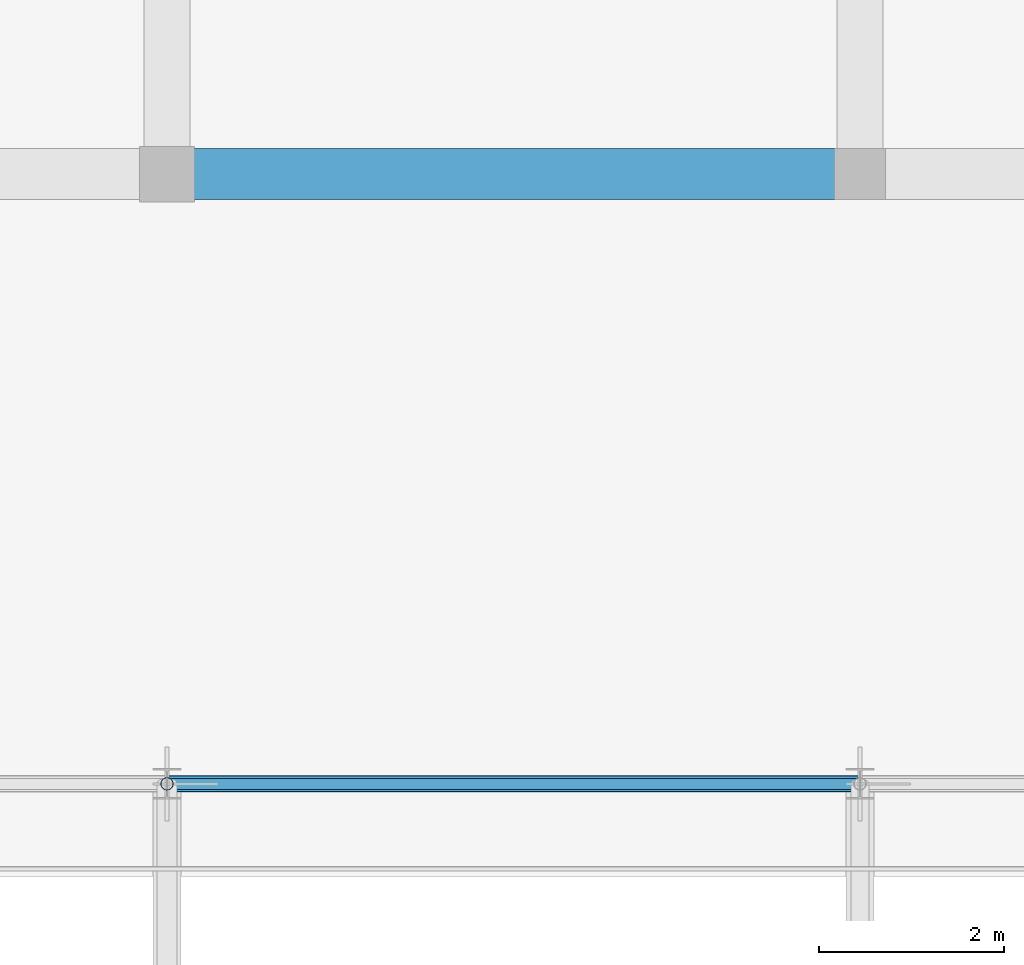
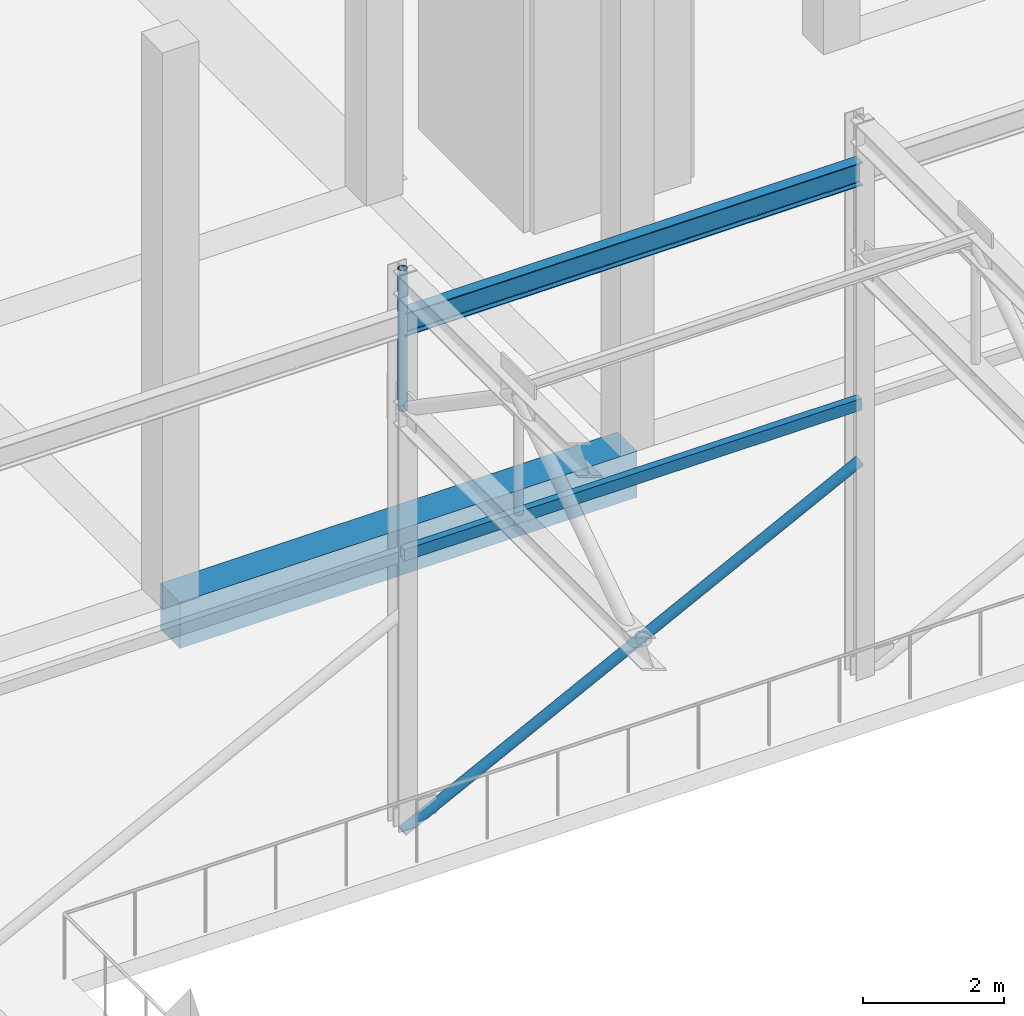
# One storey, part 33 of 80: 3 members, 2 beams.
"""IFC4 building model written with IfcOpenShell, lengths in metres."""

from ifc_helpers import new_model, si_unit, direction, frame, origin, origin_2d, place, context, subcontext, project, spatial, rectangle, hollow_rectangle, hollow_circle, i_section, extrude, material, material_profile, profile_set, type_object, element, save


model = new_model("IFC4")

# Units and contexts
model_context = context("Model", 3, precision=1e-05, world=origin(), true_north=direction((0.0, 1.0)))
body_context = subcontext(model_context, "Body", "Model", "MODEL_VIEW")
ifc_project = project(units=[si_unit("LENGTHUNIT", "METRE"), si_unit("AREAUNIT", "SQUARE_METRE"), si_unit("VOLUMEUNIT", "CUBIC_METRE"), si_unit("PLANEANGLEUNIT", "RADIAN"), si_unit("MASSUNIT", "GRAM", prefix="KILO")], contexts=[model_context])

# Site, building, storey
site_placement = place(None, origin())
site = spatial("IfcSite", under=ifc_project, at=site_placement, CompositionType="ELEMENT")
building_placement = place(site_placement, origin())
building = spatial("IfcBuilding", under=site, at=building_placement, Name="Akrevak Sports Hall", CompositionType="ELEMENT")
storey_placement = place(building_placement, frame((0.0, 0.0, 14.0)))
storey = spatial("IfcBuildingStorey", under=building, at=storey_placement, Name="L03", CompositionType="ELEMENT", Elevation=14.0)

# Beams
ifc_material_1 = material(Name="Concrete C40/50", Category="concrete")
ifc_material_profile_1 = material_profile(ifc_material_1, rectangle(XDim=0.550048828125, YDim=0.800048828125, at=origin_2d()), Name="BM 550x800", Category="concrete")
ifc_profile_set_1 = profile_set([ifc_material_profile_1], Name="Concrete C40/50")
beam_type_1 = type_object("IfcBeamType", Name="STR-BM-RC550x800", PredefinedType="BEAM", material=ifc_profile_set_1)
beam_1_placement = place(storey_placement, frame((123.0, 55.199951171875, -0.39990234375), z_axis=(1.0, 0.0, 0.0), x_axis=(0.0, 1.0, 0.0)))
element("IfcBeam", 1, at=beam_1_placement, inside=storey, type_object=beam_type_1, Name="Girder I/17-18 (L03)", PredefinedType="BEAM", context=body_context, shape_type="SweptSolid", body=[
    extrude(rectangle(XDim=0.550048828125, YDim=0.800048828125, at=origin_2d()), origin(), (0.0, 0.0, 1.0), 7.5),
])
ifc_material_2 = material(Name="Steel S355", Category="steel")
ifc_material_profile_2 = material_profile(ifc_material_2, i_section(OverallWidth=0.179931640625, OverallDepth=0.39990234375, WebThickness=0.008544921875, FlangeThickness=0.013427734375, FilletRadius=0.02099609375, at=origin_2d()), Name="IPE 400", Category="steel")
ifc_profile_set_2 = profile_set([ifc_material_profile_2], Name="Steel S355")
beam_type_2 = type_object("IfcBeamType", Name="STR-BM-STL-IPE400", PredefinedType="JOIST", material=ifc_profile_set_2)
beam_2_placement = place(storey_placement, frame((123.0, 48.60009765625, 8.699951171875), z_axis=(1.0, 0.0, 0.0), x_axis=(0.0, 1.0, 0.0)))
element("IfcBeam", 2, at=beam_2_placement, inside=storey, type_object=beam_type_2, Name="Climbing Frame Tie Beam 2 (L03)", PredefinedType="JOIST", context=body_context, shape_type="SweptSolid", body=[
    extrude(i_section(OverallWidth=0.179931640625, OverallDepth=0.39990234375, WebThickness=0.008544921875, FlangeThickness=0.013427734375, FilletRadius=0.02099609375, at=origin_2d()), origin(), (0.0, 0.0, 1.0), 7.5),
])

# Members
ifc_material_profile_3 = material_profile(ifc_material_2, hollow_circle(Radius=0.06982421875, WallThickness=0.008056640625, at=origin_2d()), Name="CHS 139.7x8", Category="steel")
ifc_profile_set_3 = profile_set([ifc_material_profile_3], Name="Steel S355")
member_type_1 = type_object("IfcMemberType", Name="STR-MEM-BRACE-CHS139", PredefinedType="BRACE", material=ifc_profile_set_3)
member_1_placement = place(storey_placement, frame((123.0, 48.60009765625, 7.18994140625), z_axis=(0.0, 0.0, 1.0), x_axis=(1.0, 0.0, 0.0)))
element("IfcMember", 3, at=member_1_placement, inside=storey, type_object=member_type_1, Name="Roof Truss 3 Bearing End Post H", PredefinedType="BRACE", context=body_context, shape_type="SweptSolid", body=[
    extrude(hollow_circle(Radius=0.06982421875, WallThickness=0.008056640625, at=origin_2d()), origin(), (0.0, 0.0, 1.0), 2.449951171875),
])
ifc_material_profile_4 = material_profile(ifc_material_2, hollow_circle(Radius=0.084228515625, WallThickness=0.008056640625, at=origin_2d()), Name="CHS 168.3x8", Category="steel")
ifc_profile_set_4 = profile_set([ifc_material_profile_4], Name="Steel S355")
member_type_2 = type_object("IfcMemberType", Name="STR-MEM-BRACE-CHS168", PredefinedType="BRACE", material=ifc_profile_set_4)
member_2_placement = place(storey_placement, frame((123.0, 48.60009765625, -0.1298828125), z_axis=(0.892045141587, 0.0, 0.451946308062), x_axis=(0.0, 1.0, 0.0)))
element("IfcMember", 4, at=member_2_placement, inside=storey, type_object=member_type_2, Name="Climbing Wall Diagonal Brace BR-2 (L03)", PredefinedType="BRACE", context=body_context, shape_type="SweptSolid", body=[
    extrude(hollow_circle(Radius=0.084228515625, WallThickness=0.008056640625, at=origin_2d()), origin(), (0.0, 0.0, 1.0), 8.40771484375),
])
ifc_material_profile_5 = material_profile(ifc_material_2, hollow_rectangle(XDim=0.1201171875, YDim=0.199951171875, WallThickness=0.010009765625, at=origin_2d()), Name="RHS 200x120x10", Category="steel")
ifc_profile_set_5 = profile_set([ifc_material_profile_5], Name="Steel S355")
member_type_3 = type_object("IfcMemberType", Name="STR-MEM-STR-RHS200", PredefinedType="STRINGER", material=ifc_profile_set_5)
member_3_placement = place(storey_placement, frame((123.0, 48.60009765625, 4.68505859375), z_axis=(1.0, 0.0, 0.0), x_axis=(0.0, 1.0, 0.0)))
element("IfcMember", 5, at=member_3_placement, inside=storey, type_object=member_type_3, Name="Climbing Wall Stringer STG-2 (L03)", PredefinedType="STRINGER", context=body_context, shape_type="SweptSolid", body=[
    extrude(hollow_rectangle(XDim=0.1201171875, YDim=0.199951171875, WallThickness=0.010009765625, at=origin_2d()), origin(), (0.0, 0.0, 1.0), 7.5),
])

save(model, "model.ifc")
